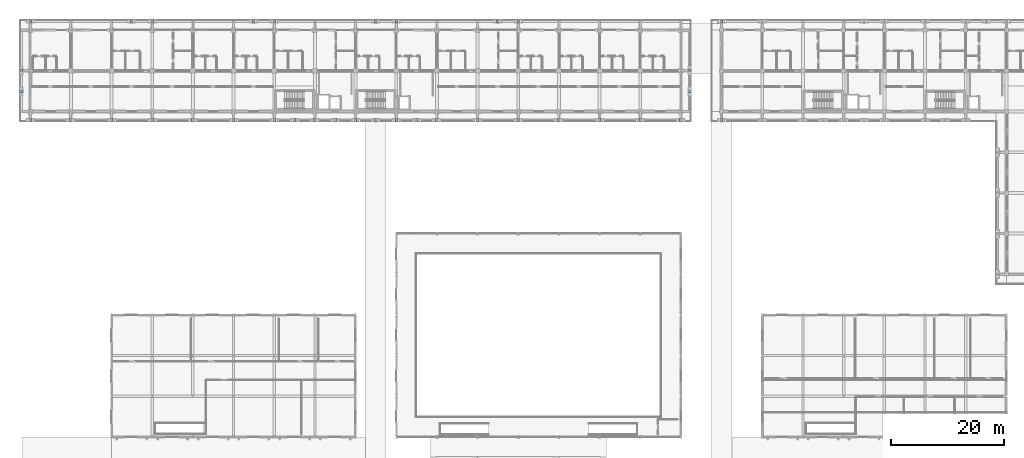
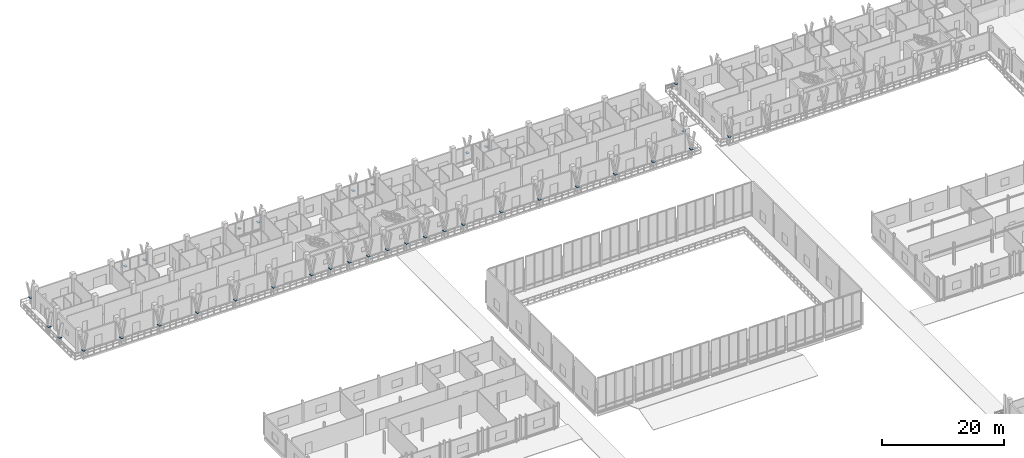
# One storey, part 62 of 110: 36 plates.
"""IFC4 building model written with IfcOpenShell, lengths in metres."""

from ifc_helpers import new_model, si_unit, direction, frame, origin, origin_2d, place, context, subcontext, project, spatial, rectangle, extrude, material, layer, layer_set, type_object, element, save


model = new_model("IFC4")

# Units and contexts
model_context = context("Model", 3, precision=1e-05, world=origin(), true_north=direction((0.0, 1.0)))
body_context = subcontext(model_context, "Body", "Model", "MODEL_VIEW")
ifc_project = project(units=[si_unit("LENGTHUNIT", "METRE"), si_unit("AREAUNIT", "SQUARE_METRE"), si_unit("VOLUMEUNIT", "CUBIC_METRE"), si_unit("PLANEANGLEUNIT", "RADIAN"), si_unit("MASSUNIT", "GRAM", prefix="KILO")], contexts=[model_context])

# Site, building, storey
site_placement = place(None, origin())
site = spatial("IfcSite", under=ifc_project, at=site_placement, CompositionType="ELEMENT")
building_placement = place(site_placement, origin())
building = spatial("IfcBuilding", under=site, at=building_placement, Name="Suanplinth Sawtooth Commons", CompositionType="ELEMENT")
storey_placement = place(building_placement, frame((0.0, 0.0, 4.5)))
storey = spatial("IfcBuildingStorey", under=building, at=storey_placement, Name="L01", CompositionType="ELEMENT", Elevation=4.5)

# Plates
ifc_material = material(Name="Pigmented precast concrete C40/50", Category="concrete")
ifc_layer = layer(ifc_material, 0.06005859375, Name="Precast Y-blade bifurcation node plate 60mm")
ifc_layer_set = layer_set([ifc_layer], Name="Pigmented precast concrete C40/50")
plate_type = type_object("IfcPlateType", Name="PL-04", PredefinedType="USERDEFINED", material=ifc_layer_set)
for number, where, z_axis, x_axis, name in (
    (1, (0.0, 123.919921875, 1.119873046875), (0.0, 0.0, 1.0), (1.0, 0.0, 0.0), "Y-Blade Node Plate L01-A-N-01"),
    (2, (18.0, 123.919921875, 1.119873046875), (0.0, 0.0, 1.0), (1.0, 0.0, 0.0), "Y-Blade Node Plate L01-A-N-02"),
    (3, (21.60009765625, 123.919921875, 1.119873046875), (0.0, 0.0, 1.0), (1.0, 0.0, 0.0), "Y-Blade Node Plate L01-A-N-03"),
    (4, (39.60009765625, 123.919921875, 1.119873046875), (0.0, 0.0, 1.0), (1.0, 0.0, 0.0), "Y-Blade Node Plate L01-A-N-04"),
    (5, (43.199951171875, 123.919921875, 1.119873046875), (0.0, 0.0, 1.0), (1.0, 0.0, 0.0), "Y-Blade Node Plate L01-A-N-05"),
    (6, (61.199951171875, 123.919921875, 1.119873046875), (0.0, 0.0, 1.0), (1.0, 0.0, 0.0), "Y-Blade Node Plate L01-A-N-06"),
    (7, (64.800048828125, 123.919921875, 1.119873046875), (0.0, 0.0, 1.0), (1.0, 0.0, 0.0), "Y-Blade Node Plate L01-A-N-07"),
    (8, (82.800048828125, 123.919921875, 1.119873046875), (0.0, 0.0, 1.0), (1.0, 0.0, 0.0), "Y-Blade Node Plate L01-A-N-08"),
    (9, (86.39990234375, 123.919921875, 1.119873046875), (0.0, 0.0, 1.0), (1.0, 0.0, 0.0), "Y-Blade Node Plate L01-A-N-09"),
    (10, (0.0, 106.47998046875, 1.119873046875), (0.0, 0.0, 1.0), (1.0, 0.0, 0.0), "Y-Blade Node Plate L01-A-S-10"),
    (11, (7.199951171875, 106.47998046875, 1.119873046875), (0.0, 0.0, 1.0), (1.0, 0.0, 0.0), "Y-Blade Node Plate L01-A-S-11"),
    (12, (14.39990234375, 106.47998046875, 1.119873046875), (0.0, 0.0, 1.0), (1.0, 0.0, 0.0), "Y-Blade Node Plate L01-A-S-12"),
    (13, (21.60009765625, 106.47998046875, 1.119873046875), (0.0, 0.0, 1.0), (1.0, 0.0, 0.0), "Y-Blade Node Plate L01-A-S-13"),
    (14, (28.800048828125, 106.47998046875, 1.119873046875), (0.0, 0.0, 1.0), (1.0, 0.0, 0.0), "Y-Blade Node Plate L01-A-S-14"),
    (15, (36.0, 106.47998046875, 1.119873046875), (0.0, 0.0, 1.0), (1.0, 0.0, 0.0), "Y-Blade Node Plate L01-A-S-15"),
    (16, (43.199951171875, 106.47998046875, 1.119873046875), (0.0, 0.0, 1.0), (1.0, 0.0, 0.0), "Y-Blade Node Plate L01-A-S-16"),
    (17, (46.800048828125, 106.47998046875, 1.119873046875), (0.0, 0.0, 1.0), (1.0, 0.0, 0.0), "Y-Blade Node Plate L01-A-S-17"),
    (18, (50.39990234375, 106.47998046875, 1.119873046875), (0.0, 0.0, 1.0), (1.0, 0.0, 0.0), "Y-Blade Node Plate L01-A-S-18"),
    (19, (54.0, 106.47998046875, 1.119873046875), (0.0, 0.0, 1.0), (1.0, 0.0, 0.0), "Y-Blade Node Plate L01-A-S-19"),
    (20, (57.60009765625, 106.47998046875, 1.119873046875), (0.0, 0.0, 1.0), (1.0, 0.0, 0.0), "Y-Blade Node Plate L01-A-S-20"),
    (21, (61.199951171875, 106.47998046875, 1.119873046875), (0.0, 0.0, 1.0), (1.0, 0.0, 0.0), "Y-Blade Node Plate L01-A-S-21"),
    (22, (64.800048828125, 106.47998046875, 1.119873046875), (0.0, 0.0, 1.0), (1.0, 0.0, 0.0), "Y-Blade Node Plate L01-A-S-22"),
    (23, (68.39990234375, 106.47998046875, 1.119873046875), (0.0, 0.0, 1.0), (1.0, 0.0, 0.0), "Y-Blade Node Plate L01-A-S-23"),
    (24, (72.0, 106.47998046875, 1.119873046875), (0.0, 0.0, 1.0), (1.0, 0.0, 0.0), "Y-Blade Node Plate L01-A-S-24"),
    (25, (79.199951171875, 106.47998046875, 1.119873046875), (0.0, 0.0, 1.0), (1.0, 0.0, 0.0), "Y-Blade Node Plate L01-A-S-25"),
    (26, (86.39990234375, 106.47998046875, 1.119873046875), (0.0, 0.0, 1.0), (1.0, 0.0, 0.0), "Y-Blade Node Plate L01-A-S-26"),
    (27, (93.60009765625, 106.47998046875, 1.119873046875), (0.0, 0.0, 1.0), (1.0, 0.0, 0.0), "Y-Blade Node Plate L01-A-S-27"),
    (28, (100.800048828125, 106.47998046875, 1.119873046875), (0.0, 0.0, 1.0), (1.0, 0.0, 0.0), "Y-Blade Node Plate L01-A-S-28"),
    (29, (108.0, 106.47998046875, 1.119873046875), (0.0, 0.0, 1.0), (1.0, 0.0, 0.0), "Y-Blade Node Plate L01-A-S-29"),
    (30, (115.199951171875, 106.47998046875, 1.119873046875), (0.0, 0.0, 1.0), (1.0, 0.0, 0.0), "Y-Blade Node Plate L01-A-S-30"),
    (31, (-1.52001953125, 111.60009765625, 1.119873046875), (0.0, 0.0, 1.0), (0.0, 1.0, 0.0), "Y-Blade Node Plate L01-A-W-31"),
    (32, (-1.52001953125, 115.199951171875, 1.119873046875), (0.0, 0.0, 1.0), (0.0, 1.0, 0.0), "Y-Blade Node Plate L01-A-W-32"),
    (33, (116.719970703125, 111.60009765625, 1.119873046875), (0.0, 0.0, 1.0), (0.0, 1.0, 0.0), "Y-Blade Node Plate L01-A-E-33"),
    (34, (116.719970703125, 115.199951171875, 1.119873046875), (0.0, 0.0, 1.0), (0.0, 1.0, 0.0), "Y-Blade Node Plate L01-A-E-34"),
    (35, (122.39990234375, 123.919921875, 1.119873046875), (0.0, 0.0, 1.0), (1.0, 0.0, 0.0), "Y-Blade Node Plate L01-B-N-01"),
    (36, (122.39990234375, 106.47998046875, 1.119873046875), (0.0, 0.0, 1.0), (1.0, 0.0, 0.0), "Y-Blade Node Plate L01-B-SC-15"),
):
    element("IfcPlate", number, at=place(storey_placement, frame(where, z_axis=z_axis, x_axis=x_axis)), inside=storey, type_object=plate_type, Name=name, ObjectType="GUSSET PLATE", PredefinedType="USERDEFINED", context=body_context, shape_type="SweptSolid", body=[
        extrude(rectangle(XDim=0.43994140625, YDim=0.550048828125, at=origin_2d()), origin(), (0.0, 0.0, 1.0), 0.06005859375),
    ])

save(model, "model.ifc")
